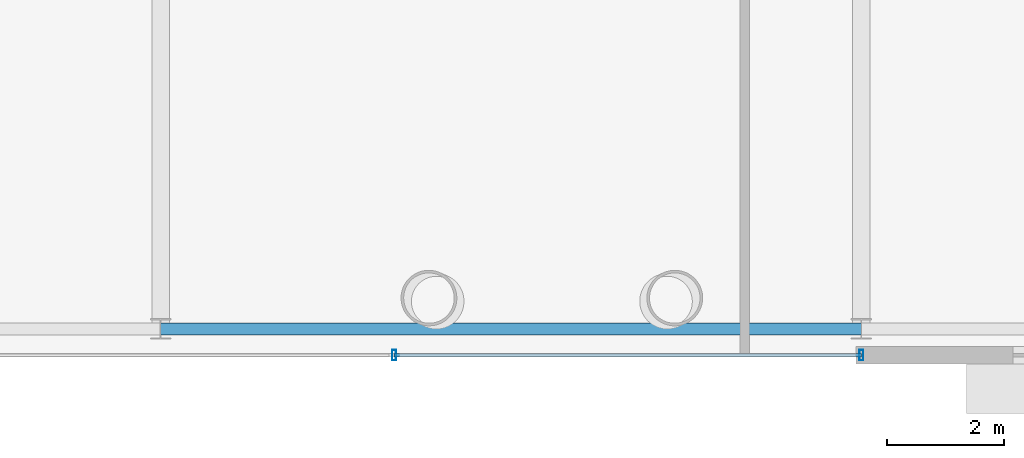
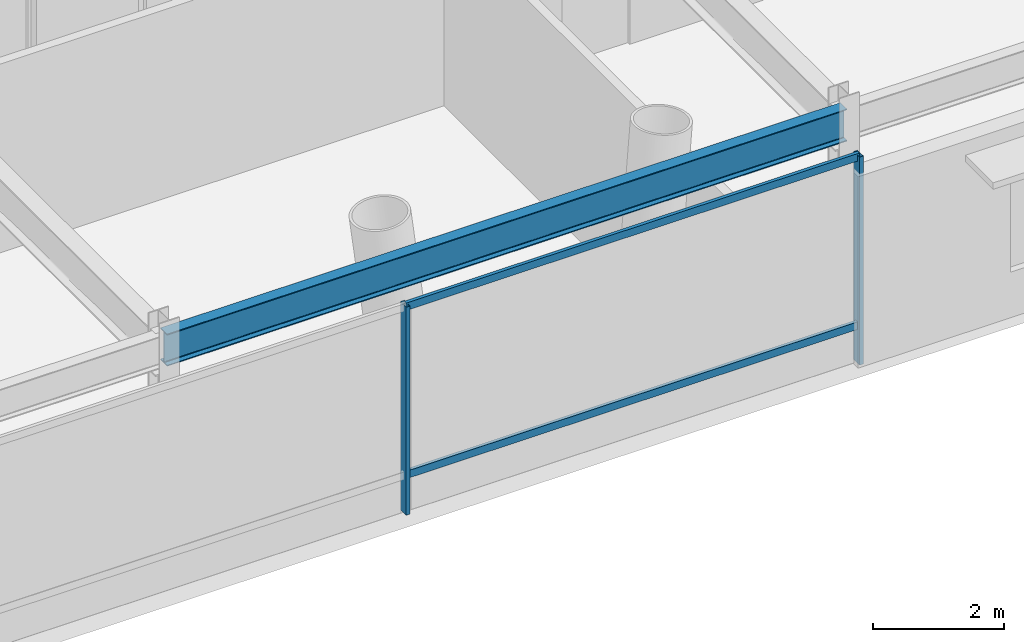
# One storey, part 8 of 26: 4 members, 1 beam, 1 element without a shape of its own.
"""IFC4 building model written with IfcOpenShell, lengths in metres."""

from ifc_helpers import new_model, si_unit, direction, frame, origin, origin_2d, place, context, subcontext, project, spatial, hollow_rectangle, i_section, extrude, material, layer, layer_set, material_profile, profile_set, type_object, element, aggregate, save


model = new_model("IFC4")

# Units and contexts
model_context = context("Model", 3, precision=1e-05, world=origin(), true_north=direction((0.0, 1.0)))
body_context = subcontext(model_context, "Body", "Model", "MODEL_VIEW")
ifc_project = project(units=[si_unit("LENGTHUNIT", "METRE"), si_unit("AREAUNIT", "SQUARE_METRE"), si_unit("VOLUMEUNIT", "CUBIC_METRE"), si_unit("PLANEANGLEUNIT", "RADIAN"), si_unit("MASSUNIT", "GRAM", prefix="KILO")], contexts=[model_context])

# Site, building, storey
site_placement = place(None, origin())
site = spatial("IfcSite", under=ifc_project, at=site_placement, CompositionType="ELEMENT")
building_placement = place(site_placement, origin())
building = spatial("IfcBuilding", under=site, at=building_placement, Name="Veldorina Hangang Commons", CompositionType="ELEMENT")
storey_placement = place(building_placement, frame((0.0, 0.0, 10.0)))
storey = spatial("IfcBuildingStorey", under=building, at=storey_placement, Name="L02", CompositionType="ELEMENT", Elevation=10.0)

# Beam
ifc_material_1 = material(Name="Steel SM420-TMC", Category="steel")
ifc_material_profile_1 = material_profile(ifc_material_1, i_section(OverallWidth=0.199951171875, OverallDepth=0.60009765625, WebThickness=0.010986328125, FlangeThickness=0.01708984375, FilletRadius=0.01806640625, at=origin_2d()), Name="H-600x200x11x17")
ifc_profile_set_1 = profile_set([ifc_material_profile_1], Name="Steel SM420-TMC")
beam_type = type_object("IfcBeamType", Name="BM-SPN600", PredefinedType="SPANDREL", material=ifc_profile_set_1)
beam_placement = place(storey_placement, frame((32.0, 3.449951171875, 4.199951171875), z_axis=(1.0, 0.0, 0.0), x_axis=(0.0, 1.0, 0.0)))
element("IfcBeam", 1, at=beam_placement, inside=storey, type_object=beam_type, Name="L02 south spandrel beam 3", PredefinedType="SPANDREL", context=body_context, shape_type="SweptSolid", body=[
    extrude(i_section(OverallWidth=0.199951171875, OverallDepth=0.60009765625, WebThickness=0.010986328125, FlangeThickness=0.01708984375, FilletRadius=0.01806640625, at=origin_2d()), origin(), (0.0, 0.0, 1.0), 12.0),
])

# Curtain wall, members
ifc_material_2 = material(Name="Glass Low-E Triple IGU", Category="glass")
ifc_layer = layer(ifc_material_2, 0.179931640625)
ifc_layer_set = layer_set([ifc_layer], Name="Glass Low-E Triple IGU")
curtain_wall_type = type_object("IfcCurtainWallType", Name="CW-SYS-POD", PredefinedType="NOTDEFINED", material=ifc_layer_set)
curtain_wall_placement = place(storey_placement, origin())
curtain_wall = element("IfcCurtainWall", 2, at=curtain_wall_placement, inside=storey, type_object=curtain_wall_type, Name="L02 unitised curtain wall CW-L02-S-CTR", PredefinedType="NOTDEFINED")
ifc_material_3 = material(Name="Aluminium Anodized AA6063-T6", Category="aluminium")
ifc_material_profile_2 = material_profile(ifc_material_3, hollow_rectangle(XDim=0.070068359375, YDim=0.179931640625, WallThickness=0.00390625, at=origin_2d()), Name="ALU-RHS-180x70x4")
ifc_profile_set_2 = profile_set([ifc_material_profile_2], Name="Aluminium Anodized AA6063-T6")
member_type_1 = type_object("IfcMemberType", Name="CW-MUL-180", PredefinedType="MULLION", material=ifc_profile_set_2)
member_1_placement = place(storey_placement, frame((36.0, 3.0, 0.0), z_axis=(0.0, 0.0, 1.0), x_axis=(1.0, 0.0, 0.0)))
member_1 = element("IfcMember", 3, at=member_1_placement, type_object=member_type_1, Name="CW-L02-S-CTR vertical mullion 2", PredefinedType="MULLION", context=body_context, shape_type="SweptSolid", body=[
    extrude(hollow_rectangle(XDim=0.070068359375, YDim=0.179931640625, WallThickness=0.00390625, at=origin_2d()), origin(), (0.0, 0.0, 1.0), 3.8798828125),
])
member_2_placement = place(storey_placement, frame((44.0, 3.0, 0.0), z_axis=(0.0, 0.0, 1.0), x_axis=(-1.0, 0.0, 0.0)))
member_2 = element("IfcMember", 4, at=member_2_placement, type_object=member_type_1, Name="CW-L02-S-CTR vertical mullion 3", PredefinedType="MULLION", context=body_context, shape_type="SweptSolid", body=[
    extrude(hollow_rectangle(XDim=0.070068359375, YDim=0.179931640625, WallThickness=0.00390625, at=origin_2d()), origin(), (0.0, 0.0, 1.0), 3.8798828125),
])
ifc_material_profile_3 = material_profile(ifc_material_3, hollow_rectangle(XDim=0.06005859375, YDim=0.139892578125, WallThickness=0.00341796875, at=origin_2d()), Name="ALU-RHS-140x60x3.5")
ifc_profile_set_3 = profile_set([ifc_material_profile_3], Name="Aluminium Anodized AA6063-T6")
member_type_2 = type_object("IfcMemberType", Name="CW-TRN-140", PredefinedType="USERDEFINED", material=ifc_profile_set_3)
member_3_placement = place(storey_placement, frame((36.0, 3.0, 0.699951171875), z_axis=(1.0, 0.0, 0.0), x_axis=(0.0, 1.0, 0.0)))
member_3 = element("IfcMember", 5, at=member_3_placement, type_object=member_type_2, Name="CW-L02-S-CTR facet 3 transom 1", ObjectType="TRANSOM", PredefinedType="USERDEFINED", context=body_context, shape_type="SweptSolid", body=[
    extrude(hollow_rectangle(XDim=0.06005859375, YDim=0.139892578125, WallThickness=0.00341796875, at=origin_2d()), origin(), (0.0, 0.0, 1.0), 8.0),
])
member_4_placement = place(storey_placement, frame((36.0, 3.0, 3.840087890625), z_axis=(1.0, 0.0, 0.0), x_axis=(0.0, 1.0, 0.0)))
member_4 = element("IfcMember", 6, at=member_4_placement, type_object=member_type_2, Name="CW-L02-S-CTR facet 3 transom 2", ObjectType="TRANSOM", PredefinedType="USERDEFINED", context=body_context, shape_type="SweptSolid", body=[
    extrude(hollow_rectangle(XDim=0.06005859375, YDim=0.139892578125, WallThickness=0.00341796875, at=origin_2d()), origin(), (0.0, 0.0, 1.0), 8.0),
])
aggregate(curtain_wall, [member_1, member_2, member_3, member_4])

save(model, "model.ifc")
